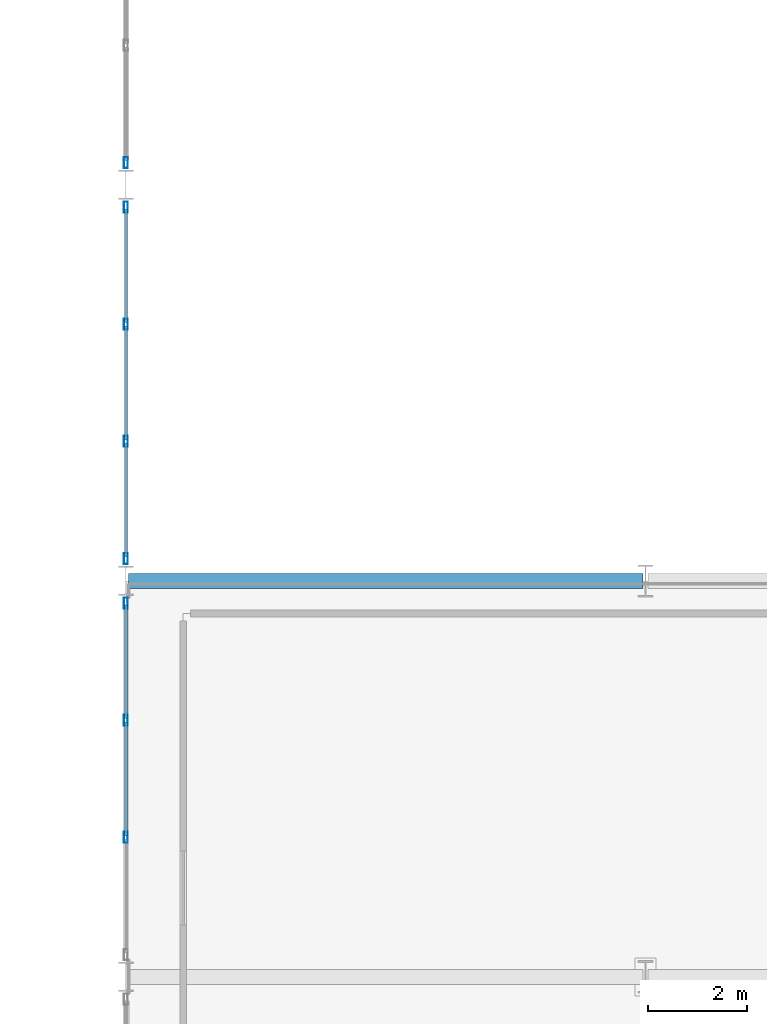
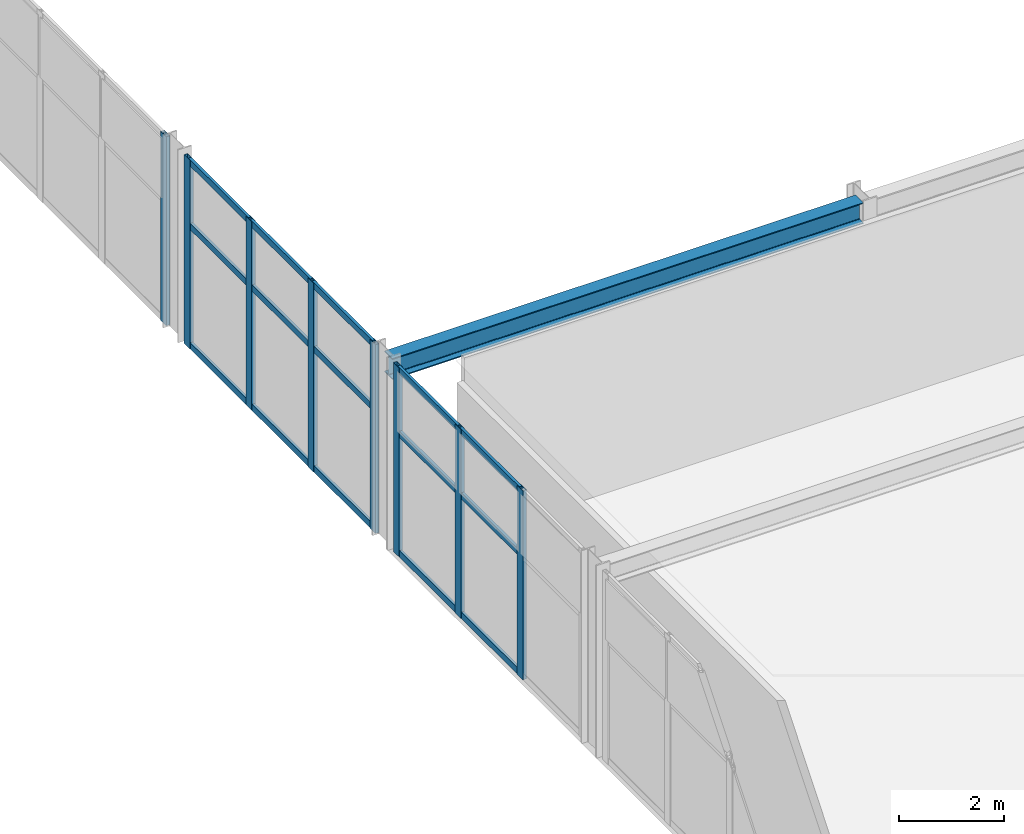
# One storey, part 22 of 105: 23 members, 1 beam, 3 elements without a shape of their own.
"""IFC4 building model written with IfcOpenShell, lengths in metres."""

from ifc_helpers import new_model, si_unit, direction, frame, origin, origin_2d, place, context, subcontext, project, spatial, hollow_rectangle, i_section, extrude, material, layer, layer_set, material_profile, profile_set, type_object, element, aggregate, save


model = new_model("IFC4")

# Units and contexts
model_context = context("Model", 3, precision=1e-05, world=origin(), true_north=direction((0.0, 1.0)))
body_context = subcontext(model_context, "Body", "Model", "MODEL_VIEW")
ifc_project = project(units=[si_unit("LENGTHUNIT", "METRE"), si_unit("AREAUNIT", "SQUARE_METRE"), si_unit("VOLUMEUNIT", "CUBIC_METRE"), si_unit("PLANEANGLEUNIT", "RADIAN"), si_unit("MASSUNIT", "GRAM", prefix="KILO")], contexts=[model_context])

# Site, building, storey
site_placement = place(None, origin())
site = spatial("IfcSite", under=ifc_project, at=site_placement, CompositionType="ELEMENT")
building_placement = place(site_placement, origin())
building = spatial("IfcBuilding", under=site, at=building_placement, Name="Marlcrest Central Station", CompositionType="ELEMENT")
storey_placement = place(building_placement, frame((0.0, 0.0, 15.0)))
storey = spatial("IfcBuildingStorey", under=building, at=storey_placement, Name="L03", CompositionType="ELEMENT", Elevation=15.0)

# Beam
ifc_material_1 = material(Name="Steel S355", Category="steel")
ifc_material_profile_1 = material_profile(ifc_material_1, i_section(OverallWidth=0.300048828125, OverallDepth=0.489990234375, WebThickness=0.011962890625, FlangeThickness=0.02294921875, FilletRadius=0.027099609375, at=origin_2d()), Name="HEA 500")
ifc_profile_set_1 = profile_set([ifc_material_profile_1], Name="Steel S355")
beam_type = type_object("IfcBeamType", Name="BM-10", PredefinedType="BEAM", material=ifc_profile_set_1)
beam_placement = place(storey_placement, frame((87.050048828125, 38.5, 4.074951171875), z_axis=(1.0, 0.0, 0.0), x_axis=(0.0, 1.0, 0.0)))
element("IfcBeam", 1, at=beam_placement, inside=storey, type_object=beam_type, Name="bm-BM-10-L03-01179", PredefinedType="BEAM", context=body_context, shape_type="SweptSolid", body=[
    extrude(i_section(OverallWidth=0.300048828125, OverallDepth=0.489990234375, WebThickness=0.011962890625, FlangeThickness=0.02294921875, FilletRadius=0.027099609375, at=origin_2d()), origin(), (0.0, 0.0, 1.0), 10.39990234375),
])

# Curtain wall, members
ifc_material_2 = material(Name="Anodised aluminium and hurricane laminated glass", Category="aluminium")
ifc_layer = layer(ifc_material_2, 0.219970703125, Name="CW-U1")
ifc_layer_set = layer_set([ifc_layer], Name="Anodised aluminium and hurricane laminated glass")
curtain_wall_type = type_object("IfcCurtainWallType", Name="CW-U1", PredefinedType="USERDEFINED", material=ifc_layer_set)
curtain_wall_1_placement = place(storey_placement, origin())
curtain_wall_1 = element("IfcCurtainWall", 2, at=curtain_wall_1_placement, inside=storey, type_object=curtain_wall_type, Name="cw-L03-0105", ObjectType="UNITISED_CURTAIN_WALL", PredefinedType="USERDEFINED")
ifc_material_3 = material(Name="Anodised aluminium 6063-T6", Category="aluminium")
ifc_material_profile_2 = material_profile(ifc_material_3, hollow_rectangle(XDim=0.080078125, YDim=0.219970703125, WallThickness=0.006103515625, at=origin_2d()), Name="AA-RHS 220x80x6")
ifc_profile_set_2 = profile_set([ifc_material_profile_2], Name="Anodised aluminium 6063-T6")
member_type_1 = type_object("IfcMemberType", Name="ML-01", PredefinedType="MULLION", material=ifc_profile_set_2)
member_1_placement = place(storey_placement, frame((87.0, 33.316650390625, -0.030029296875), z_axis=(0.0, 0.0, 1.0), x_axis=(1.0, 0.0, 0.0)))
member_1 = element("IfcMember", 3, at=member_1_placement, type_object=member_type_1, Name="cw-L03-0105-ml-1", PredefinedType="MULLION", context=body_context, shape_type="SweptSolid", body=[
    extrude(hollow_rectangle(XDim=0.080078125, YDim=0.219970703125, WallThickness=0.006103515625, at=origin_2d()), origin(), (0.0, 0.0, 1.0), 4.409912109375),
])
member_2_placement = place(storey_placement, frame((87.0, 35.683349609375, -0.030029296875), z_axis=(0.0, 0.0, 1.0), x_axis=(1.0, 0.0, 0.0)))
member_2 = element("IfcMember", 4, at=member_2_placement, type_object=member_type_1, Name="cw-L03-0105-ml-2", PredefinedType="MULLION", context=body_context, shape_type="SweptSolid", body=[
    extrude(hollow_rectangle(XDim=0.080078125, YDim=0.219970703125, WallThickness=0.006103515625, at=origin_2d()), origin(), (0.0, 0.0, 1.0), 4.409912109375),
])
member_3_placement = place(storey_placement, frame((87.0, 38.050048828125, -0.030029296875), z_axis=(0.0, 0.0, 1.0), x_axis=(1.0, 0.0, 0.0)))
member_3 = element("IfcMember", 5, at=member_3_placement, type_object=member_type_1, Name="cw-L03-0105-ml-3", PredefinedType="MULLION", context=body_context, shape_type="SweptSolid", body=[
    extrude(hollow_rectangle(XDim=0.080078125, YDim=0.219970703125, WallThickness=0.006103515625, at=origin_2d()), origin(), (0.0, 0.0, 1.0), 4.409912109375),
])

curtain_wall_2_placement = place(storey_placement, origin())
curtain_wall_2 = element("IfcCurtainWall", 6, at=curtain_wall_2_placement, inside=storey, type_object=curtain_wall_type, Name="cw-L03-0109", ObjectType="UNITISED_CURTAIN_WALL", PredefinedType="USERDEFINED")
member_4_placement = place(storey_placement, frame((87.0, 38.949951171875, -0.030029296875), z_axis=(0.0, 0.0, 1.0), x_axis=(1.0, 0.0, 0.0)))
member_4 = element("IfcMember", 7, at=member_4_placement, type_object=member_type_1, Name="cw-L03-0109-ml-0", PredefinedType="MULLION", context=body_context, shape_type="SweptSolid", body=[
    extrude(hollow_rectangle(XDim=0.080078125, YDim=0.219970703125, WallThickness=0.006103515625, at=origin_2d()), origin(), (0.0, 0.0, 1.0), 4.409912109375),
])
member_5_placement = place(storey_placement, frame((87.0, 41.316650390625, -0.030029296875), z_axis=(0.0, 0.0, 1.0), x_axis=(1.0, 0.0, 0.0)))
member_5 = element("IfcMember", 8, at=member_5_placement, type_object=member_type_1, Name="cw-L03-0109-ml-1", PredefinedType="MULLION", context=body_context, shape_type="SweptSolid", body=[
    extrude(hollow_rectangle(XDim=0.080078125, YDim=0.219970703125, WallThickness=0.006103515625, at=origin_2d()), origin(), (0.0, 0.0, 1.0), 4.409912109375),
])
member_6_placement = place(storey_placement, frame((87.0, 43.683349609375, -0.030029296875), z_axis=(0.0, 0.0, 1.0), x_axis=(1.0, 0.0, 0.0)))
member_6 = element("IfcMember", 9, at=member_6_placement, type_object=member_type_1, Name="cw-L03-0109-ml-2", PredefinedType="MULLION", context=body_context, shape_type="SweptSolid", body=[
    extrude(hollow_rectangle(XDim=0.080078125, YDim=0.219970703125, WallThickness=0.006103515625, at=origin_2d()), origin(), (0.0, 0.0, 1.0), 4.409912109375),
])
member_7_placement = place(storey_placement, frame((87.0, 46.050048828125, -0.030029296875), z_axis=(0.0, 0.0, 1.0), x_axis=(1.0, 0.0, 0.0)))
member_7 = element("IfcMember", 10, at=member_7_placement, type_object=member_type_1, Name="cw-L03-0109-ml-3", PredefinedType="MULLION", context=body_context, shape_type="SweptSolid", body=[
    extrude(hollow_rectangle(XDim=0.080078125, YDim=0.219970703125, WallThickness=0.006103515625, at=origin_2d()), origin(), (0.0, 0.0, 1.0), 4.409912109375),
])

# Curtain wall, member
curtain_wall_3_placement = place(storey_placement, origin())
curtain_wall_3 = element("IfcCurtainWall", 11, at=curtain_wall_3_placement, inside=storey, type_object=curtain_wall_type, Name="cw-L03-0113", ObjectType="UNITISED_CURTAIN_WALL", PredefinedType="USERDEFINED")
member_8_placement = place(storey_placement, frame((87.0, 46.949951171875, -0.030029296875), z_axis=(0.0, 0.0, 1.0), x_axis=(1.0, 0.0, 0.0)))
member_8 = element("IfcMember", 12, at=member_8_placement, type_object=member_type_1, Name="cw-L03-0113-ml-0", PredefinedType="MULLION", context=body_context, shape_type="SweptSolid", body=[
    extrude(hollow_rectangle(XDim=0.080078125, YDim=0.219970703125, WallThickness=0.006103515625, at=origin_2d()), origin(), (0.0, 0.0, 1.0), 4.409912109375),
])
aggregate(curtain_wall_3, [member_8])

# Member
ifc_material_profile_3 = material_profile(ifc_material_3, hollow_rectangle(XDim=0.06005859375, YDim=0.14990234375, WallThickness=0.00390625, at=origin_2d()), Name="AA-RHS 150x60x4")
ifc_profile_set_3 = profile_set([ifc_material_profile_3], Name="Anodised aluminium 6063-T6")
member_type_2 = type_object("IfcMemberType", Name="TR-01", PredefinedType="USERDEFINED", material=ifc_profile_set_3)
member_9_placement = place(storey_placement, frame((87.0, 33.354736328125, 0.0400390625), z_axis=(0.0, 1.0, 0.0), x_axis=(-1.0, 0.0, 0.0)))
member_9 = element("IfcMember", 13, at=member_9_placement, type_object=member_type_2, Name="cw-L03-0105-tr-1-sill", ObjectType="TRANSOM", PredefinedType="USERDEFINED", context=body_context, shape_type="SweptSolid", body=[
    extrude(hollow_rectangle(XDim=0.06005859375, YDim=0.14990234375, WallThickness=0.00390625, at=origin_2d()), origin(), (0.0, 0.0, 1.0), 2.29052734375),
])

member_10_placement = place(storey_placement, frame((87.0, 33.354736328125, 2.827880859375), z_axis=(0.0, 1.0, 0.0), x_axis=(-1.0, 0.0, 0.0)))
member_10 = element("IfcMember", 14, at=member_10_placement, type_object=member_type_2, Name="cw-L03-0105-tr-1-mid", ObjectType="TRANSOM", PredefinedType="USERDEFINED", context=body_context, shape_type="SweptSolid", body=[
    extrude(hollow_rectangle(XDim=0.06005859375, YDim=0.14990234375, WallThickness=0.00390625, at=origin_2d()), origin(), (0.0, 0.0, 1.0), 2.29052734375),
])

member_11_placement = place(storey_placement, frame((87.0, 33.354736328125, 4.31005859375), z_axis=(0.0, 1.0, 0.0), x_axis=(-1.0, 0.0, 0.0)))
member_11 = element("IfcMember", 15, at=member_11_placement, type_object=member_type_2, Name="cw-L03-0105-tr-1-head", ObjectType="TRANSOM", PredefinedType="USERDEFINED", context=body_context, shape_type="SweptSolid", body=[
    extrude(hollow_rectangle(XDim=0.06005859375, YDim=0.14990234375, WallThickness=0.00390625, at=origin_2d()), origin(), (0.0, 0.0, 1.0), 2.29052734375),
])

member_12_placement = place(storey_placement, frame((87.0, 35.72119140625, 0.0400390625), z_axis=(0.0, 1.0, 0.0), x_axis=(-1.0, 0.0, 0.0)))
member_12 = element("IfcMember", 16, at=member_12_placement, type_object=member_type_2, Name="cw-L03-0105-tr-2-sill", ObjectType="TRANSOM", PredefinedType="USERDEFINED", context=body_context, shape_type="SweptSolid", body=[
    extrude(hollow_rectangle(XDim=0.06005859375, YDim=0.14990234375, WallThickness=0.00390625, at=origin_2d()), origin(), (0.0, 0.0, 1.0), 2.290771484375),
])

member_13_placement = place(storey_placement, frame((87.0, 35.72119140625, 2.827880859375), z_axis=(0.0, 1.0, 0.0), x_axis=(-1.0, 0.0, 0.0)))
member_13 = element("IfcMember", 17, at=member_13_placement, type_object=member_type_2, Name="cw-L03-0105-tr-2-mid", ObjectType="TRANSOM", PredefinedType="USERDEFINED", context=body_context, shape_type="SweptSolid", body=[
    extrude(hollow_rectangle(XDim=0.06005859375, YDim=0.14990234375, WallThickness=0.00390625, at=origin_2d()), origin(), (0.0, 0.0, 1.0), 2.290771484375),
])

member_14_placement = place(storey_placement, frame((87.0, 35.72119140625, 4.31005859375), z_axis=(0.0, 1.0, 0.0), x_axis=(-1.0, 0.0, 0.0)))
member_14 = element("IfcMember", 18, at=member_14_placement, type_object=member_type_2, Name="cw-L03-0105-tr-2-head", ObjectType="TRANSOM", PredefinedType="USERDEFINED", context=body_context, shape_type="SweptSolid", body=[
    extrude(hollow_rectangle(XDim=0.06005859375, YDim=0.14990234375, WallThickness=0.00390625, at=origin_2d()), origin(), (0.0, 0.0, 1.0), 2.290771484375),
])

aggregate(curtain_wall_1, [member_1, member_2, member_3, member_9, member_10, member_11, member_12, member_13, member_14])

member_15_placement = place(storey_placement, frame((87.0, 38.988037109375, 0.0400390625), z_axis=(0.0, 1.0, 0.0), x_axis=(-1.0, 0.0, 0.0)))
member_15 = element("IfcMember", 19, at=member_15_placement, type_object=member_type_2, Name="cw-L03-0109-tr-0-sill", ObjectType="TRANSOM", PredefinedType="USERDEFINED", context=body_context, shape_type="SweptSolid", body=[
    extrude(hollow_rectangle(XDim=0.06005859375, YDim=0.14990234375, WallThickness=0.00390625, at=origin_2d()), origin(), (0.0, 0.0, 1.0), 2.290771484375),
])

member_16_placement = place(storey_placement, frame((87.0, 38.988037109375, 2.827880859375), z_axis=(0.0, 1.0, 0.0), x_axis=(-1.0, 0.0, 0.0)))
member_16 = element("IfcMember", 20, at=member_16_placement, type_object=member_type_2, Name="cw-L03-0109-tr-0-mid", ObjectType="TRANSOM", PredefinedType="USERDEFINED", context=body_context, shape_type="SweptSolid", body=[
    extrude(hollow_rectangle(XDim=0.06005859375, YDim=0.14990234375, WallThickness=0.00390625, at=origin_2d()), origin(), (0.0, 0.0, 1.0), 2.290771484375),
])

member_17_placement = place(storey_placement, frame((87.0, 38.988037109375, 4.31005859375), z_axis=(0.0, 1.0, 0.0), x_axis=(-1.0, 0.0, 0.0)))
member_17 = element("IfcMember", 21, at=member_17_placement, type_object=member_type_2, Name="cw-L03-0109-tr-0-head", ObjectType="TRANSOM", PredefinedType="USERDEFINED", context=body_context, shape_type="SweptSolid", body=[
    extrude(hollow_rectangle(XDim=0.06005859375, YDim=0.14990234375, WallThickness=0.00390625, at=origin_2d()), origin(), (0.0, 0.0, 1.0), 2.290771484375),
])

member_18_placement = place(storey_placement, frame((87.0, 41.354736328125, 0.0400390625), z_axis=(0.0, 1.0, 0.0), x_axis=(-1.0, 0.0, 0.0)))
member_18 = element("IfcMember", 22, at=member_18_placement, type_object=member_type_2, Name="cw-L03-0109-tr-1-sill", ObjectType="TRANSOM", PredefinedType="USERDEFINED", context=body_context, shape_type="SweptSolid", body=[
    extrude(hollow_rectangle(XDim=0.06005859375, YDim=0.14990234375, WallThickness=0.00390625, at=origin_2d()), origin(), (0.0, 0.0, 1.0), 2.29052734375),
])

member_19_placement = place(storey_placement, frame((87.0, 41.354736328125, 2.827880859375), z_axis=(0.0, 1.0, 0.0), x_axis=(-1.0, 0.0, 0.0)))
member_19 = element("IfcMember", 23, at=member_19_placement, type_object=member_type_2, Name="cw-L03-0109-tr-1-mid", ObjectType="TRANSOM", PredefinedType="USERDEFINED", context=body_context, shape_type="SweptSolid", body=[
    extrude(hollow_rectangle(XDim=0.06005859375, YDim=0.14990234375, WallThickness=0.00390625, at=origin_2d()), origin(), (0.0, 0.0, 1.0), 2.29052734375),
])

member_20_placement = place(storey_placement, frame((87.0, 41.354736328125, 4.31005859375), z_axis=(0.0, 1.0, 0.0), x_axis=(-1.0, 0.0, 0.0)))
member_20 = element("IfcMember", 24, at=member_20_placement, type_object=member_type_2, Name="cw-L03-0109-tr-1-head", ObjectType="TRANSOM", PredefinedType="USERDEFINED", context=body_context, shape_type="SweptSolid", body=[
    extrude(hollow_rectangle(XDim=0.06005859375, YDim=0.14990234375, WallThickness=0.00390625, at=origin_2d()), origin(), (0.0, 0.0, 1.0), 2.29052734375),
])

member_21_placement = place(storey_placement, frame((87.0, 43.72119140625, 0.0400390625), z_axis=(0.0, 1.0, 0.0), x_axis=(-1.0, 0.0, 0.0)))
member_21 = element("IfcMember", 25, at=member_21_placement, type_object=member_type_2, Name="cw-L03-0109-tr-2-sill", ObjectType="TRANSOM", PredefinedType="USERDEFINED", context=body_context, shape_type="SweptSolid", body=[
    extrude(hollow_rectangle(XDim=0.06005859375, YDim=0.14990234375, WallThickness=0.00390625, at=origin_2d()), origin(), (0.0, 0.0, 1.0), 2.290771484375),
])

member_22_placement = place(storey_placement, frame((87.0, 43.72119140625, 2.827880859375), z_axis=(0.0, 1.0, 0.0), x_axis=(-1.0, 0.0, 0.0)))
member_22 = element("IfcMember", 26, at=member_22_placement, type_object=member_type_2, Name="cw-L03-0109-tr-2-mid", ObjectType="TRANSOM", PredefinedType="USERDEFINED", context=body_context, shape_type="SweptSolid", body=[
    extrude(hollow_rectangle(XDim=0.06005859375, YDim=0.14990234375, WallThickness=0.00390625, at=origin_2d()), origin(), (0.0, 0.0, 1.0), 2.290771484375),
])

member_23_placement = place(storey_placement, frame((87.0, 43.72119140625, 4.31005859375), z_axis=(0.0, 1.0, 0.0), x_axis=(-1.0, 0.0, 0.0)))
member_23 = element("IfcMember", 27, at=member_23_placement, type_object=member_type_2, Name="cw-L03-0109-tr-2-head", ObjectType="TRANSOM", PredefinedType="USERDEFINED", context=body_context, shape_type="SweptSolid", body=[
    extrude(hollow_rectangle(XDim=0.06005859375, YDim=0.14990234375, WallThickness=0.00390625, at=origin_2d()), origin(), (0.0, 0.0, 1.0), 2.290771484375),
])

aggregate(curtain_wall_2, [member_4, member_5, member_6, member_7, member_15, member_16, member_17, member_18, member_19, member_20, member_21, member_22, member_23])

save(model, "model.ifc")
